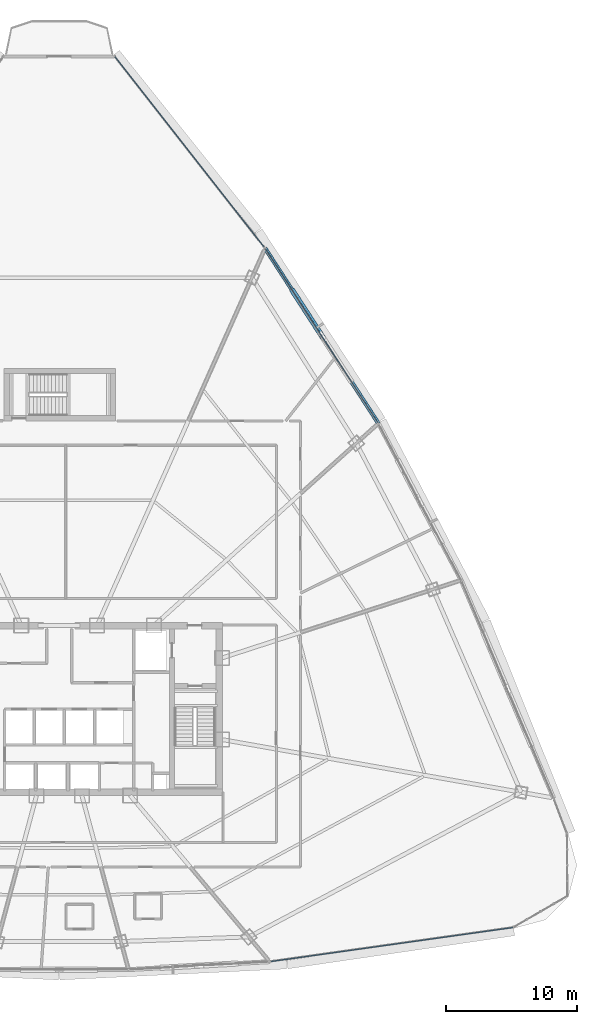
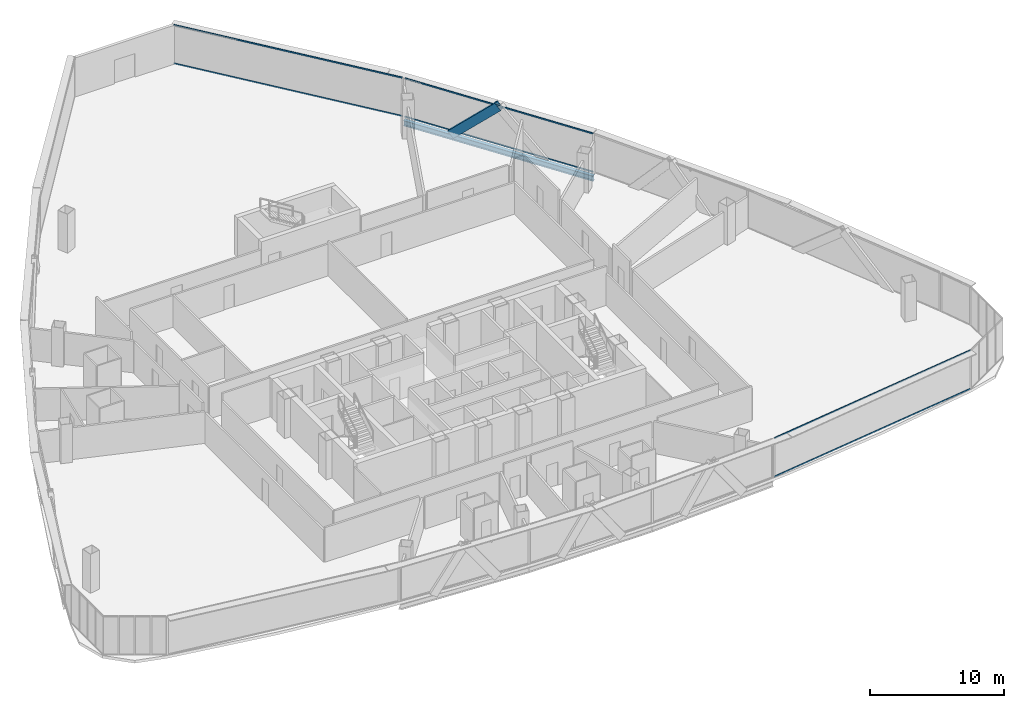
# One storey, part 23 of 40: 7 members, 1 beam, 3 elements without a shape of their own.
"""IFC4 building model written with IfcOpenShell, lengths in metres."""

from ifc_helpers import new_model, si_unit, direction, frame, origin, origin_2d, place, context, subcontext, project, spatial, hollow_rectangle, i_section, extrude, source, transform, mapped, material, layer, layer_set, material_profile, profile_set, type_object, element, aggregate, save


model = new_model("IFC4")

# Units and contexts
model_context = context("Model", 3, precision=1e-05, world=origin(), true_north=direction((0.0, 1.0)))
body_context = subcontext(model_context, "Body", "Model", "MODEL_VIEW")
ifc_project = project(units=[si_unit("LENGTHUNIT", "METRE"), si_unit("AREAUNIT", "SQUARE_METRE"), si_unit("VOLUMEUNIT", "CUBIC_METRE"), si_unit("PLANEANGLEUNIT", "RADIAN"), si_unit("MASSUNIT", "GRAM", prefix="KILO"), si_unit("THERMODYNAMICTEMPERATUREUNIT", "KELVIN"), si_unit("POWERUNIT", "WATT")], contexts=[model_context])

# Site, building, storey
site_placement = place(None, origin())
site = spatial("IfcSite", under=ifc_project, at=site_placement, CompositionType="ELEMENT")
building_placement = place(site_placement, origin())
building = spatial("IfcBuilding", under=site, at=building_placement, Name="Yunzhuo Pagoda Commons", CompositionType="ELEMENT")
storey_placement = place(building_placement, frame((0.0, 0.0, 180.9599609375)))
storey = spatial("IfcBuildingStorey", under=building, at=storey_placement, Name="L45", CompositionType="ELEMENT", Elevation=180.9599609375)

# Beam
ifc_material_1 = material(Name="Structural steel Q355B", Category="steel")
ifc_material_profile_1 = material_profile(ifc_material_1, i_section(OverallWidth=0.300048828125, OverallDepth=0.488037109375, WebThickness=0.010986328125, FlangeThickness=0.01806640625, at=origin_2d()), Name="Structural steel Q355B")
ifc_profile_set_1 = profile_set([ifc_material_profile_1], Name="Structural steel Q355B")
beam_type = type_object("IfcBeamType", Name="B-SP1 Beam HM 488x300x11x18", PredefinedType="BEAM", material=ifc_profile_set_1)
shared_shape_1 = source(origin(), body_context, "Body", "SweptSolid", [
    extrude(i_section(OverallWidth=0.300048828125, OverallDepth=0.488037109375, WebThickness=0.010986328125, FlangeThickness=0.01806640625, at=origin_2d()), origin(), (0.0, 0.0, 1.0), 15.899169921875),
])
beam_placement = place(storey_placement, frame((72.33544921875, 55.61181640625, -0.50390625), z_axis=(-0.543169779139, 0.8396228862, 0.0), x_axis=(-0.8396228862, -0.543169779139, 0.0)))
element("IfcBeam", 1, at=beam_placement, inside=storey, type_object=beam_type, Name="L45 facade edge spandrel beam F2.3", PredefinedType="BEAM", context=body_context, shape_type="MappedRepresentation", body=[
    mapped(shared_shape_1, transform((0.0, 0.0, 0.0), scale=1.0)),
])

# Member
ifc_material_profile_2 = material_profile(ifc_material_1, hollow_rectangle(XDim=0.39990234375, YDim=0.719970703125, WallThickness=0.02392578125, at=origin_2d()), Name="Structural steel Q355B")
ifc_profile_set_2 = profile_set([ifc_material_profile_2], Name="Structural steel Q355B")
member_type_1 = type_object("IfcMemberType", Name="M-DL2 Brace BOX 720x400x24", PredefinedType="BRACE", material=ifc_profile_set_2)
shared_shape_2 = source(origin(), body_context, "Body", "SweptSolid", [
    extrude(hollow_rectangle(XDim=0.39990234375, YDim=0.719970703125, WallThickness=0.02392578125, at=origin_2d()), origin(), (0.0, 0.0, 1.0), 5.4990234375),
])
member_1_placement = place(storey_placement, frame((65.8583984375, 65.623779296875, -0.260009765625), z_axis=(0.392611625569, -0.606876434458, 0.691055066379), x_axis=(0.839616297671, 0.543179963443, 0.0)))
element("IfcMember", 2, at=member_1_placement, inside=storey, type_object=member_type_1, Name="L45 facade diamond brace F2.3R", PredefinedType="BRACE", context=body_context, shape_type="MappedRepresentation", body=[
    mapped(shared_shape_2, transform((0.0, 0.0, 0.0), scale=1.0)),
])

# Curtain wall, members
ifc_material_2 = material(Name="Anodized aluminium 6063-T6", Category="aluminium")
ifc_layer = layer(ifc_material_2, 0.14990234375)
ifc_layer_set = layer_set([ifc_layer], Name="Anodized aluminium 6063-T6")
curtain_wall_type = type_object("IfcCurtainWallType", Name="CW-MID Mid-Zone Ribbon Curtain Wall", PredefinedType="NOTDEFINED", material=ifc_layer_set)
curtain_wall_1_placement = place(storey_placement, origin())
curtain_wall_1 = element("IfcCurtainWall", 3, at=curtain_wall_1_placement, inside=storey, type_object=curtain_wall_type, Name="L45 curtain wall CW-L45-F1B5", PredefinedType="NOTDEFINED")
ifc_material_profile_3 = material_profile(ifc_material_2, hollow_rectangle(XDim=0.054931640625, YDim=0.1298828125, WallThickness=0.00341796875, at=origin_2d()), Name="Anodized aluminium 6063-T6")
ifc_profile_set_3 = profile_set([ifc_material_profile_3], Name="Anodized aluminium 6063-T6")
member_type_2 = type_object("IfcMemberType", Name="CW-MID-T Transom RHS 130x55x3.5", PredefinedType="USERDEFINED", material=ifc_profile_set_3)
shared_shape_3 = source(origin(), body_context, "Body", "SweptSolid", [
    extrude(hollow_rectangle(XDim=0.054931640625, YDim=0.1298828125, WallThickness=0.00341796875, at=origin_2d()), origin(), (0.0, 0.0, 1.0), 18.564453125),
])
member_2_placement = place(storey_placement, frame((64.18115234375, 14.59423828125, 0.027587890625), z_axis=(0.990260063852, 0.139230046827, 0.0), x_axis=(-0.139230046827, 0.990260063852, 0.0)))
member_2 = element("IfcMember", 4, at=member_2_placement, type_object=member_type_2, Name="CW transom 1.1", ObjectType="TRANSOM", PredefinedType="USERDEFINED", context=body_context, shape_type="MappedRepresentation", body=[
    mapped(shared_shape_3, transform((0.0, 0.0, 0.0), scale=1.0)),
])
member_3_placement = place(storey_placement, frame((64.18115234375, 14.59423828125, 3.512451171875), z_axis=(0.990260063852, 0.139230046827, 0.0), x_axis=(-0.139230046827, 0.990260063852, 0.0)))
member_3 = element("IfcMember", 5, at=member_3_placement, type_object=member_type_2, Name="CW transom 1.2", ObjectType="TRANSOM", PredefinedType="USERDEFINED", context=body_context, shape_type="MappedRepresentation", body=[
    mapped(shared_shape_3, transform((0.0, 0.0, 0.0), scale=1.0)),
])
aggregate(curtain_wall_1, [member_2, member_3])

curtain_wall_2_placement = place(storey_placement, origin())
curtain_wall_2 = element("IfcCurtainWall", 6, at=curtain_wall_2_placement, inside=storey, type_object=curtain_wall_type, Name="L45 curtain wall CW-L45-F2B4", PredefinedType="NOTDEFINED")
shared_shape_4 = source(origin(), body_context, "Body", "SweptSolid", [
    extrude(hollow_rectangle(XDim=0.054931640625, YDim=0.1298828125, WallThickness=0.00341796875, at=origin_2d()), origin(), (0.0, 0.0, 1.0), 15.779296875),
])
member_4_placement = place(storey_placement, frame((72.302734375, 55.662109375, 0.027587890625), z_axis=(-0.543164669064, 0.839626191993, 0.0), x_axis=(-0.839626191993, -0.543164669064, 0.0)))
member_4 = element("IfcMember", 7, at=member_4_placement, type_object=member_type_2, Name="CW transom 1.1", ObjectType="TRANSOM", PredefinedType="USERDEFINED", context=body_context, shape_type="MappedRepresentation", body=[
    mapped(shared_shape_4, transform((0.0, 0.0, 0.0), scale=1.0)),
])
member_5_placement = place(storey_placement, frame((72.302734375, 55.662109375, 3.512451171875), z_axis=(-0.543164669064, 0.839626191993, 0.0), x_axis=(-0.839626191993, -0.543164669064, 0.0)))
member_5 = element("IfcMember", 8, at=member_5_placement, type_object=member_type_2, Name="CW transom 1.2", ObjectType="TRANSOM", PredefinedType="USERDEFINED", context=body_context, shape_type="MappedRepresentation", body=[
    mapped(shared_shape_4, transform((0.0, 0.0, 0.0), scale=1.0)),
])
aggregate(curtain_wall_2, [member_4, member_5])

curtain_wall_3_placement = place(storey_placement, origin())
curtain_wall_3 = element("IfcCurtainWall", 9, at=curtain_wall_3_placement, inside=storey, type_object=curtain_wall_type, Name="L45 curtain wall CW-L45-F2B5", PredefinedType="NOTDEFINED")
shared_shape_5 = source(origin(), body_context, "Body", "SweptSolid", [
    extrude(hollow_rectangle(XDim=0.054931640625, YDim=0.1298828125, WallThickness=0.00341796875, at=origin_2d()), origin(), (0.0, 0.0, 1.0), 18.384765625),
])
member_6_placement = place(storey_placement, frame((63.615966796875, 69.067626953125, 0.027587890625), z_axis=(-0.617021275129, 0.786946469614, 0.0), x_axis=(-0.786946469614, -0.617021275129, 0.0)))
member_6 = element("IfcMember", 10, at=member_6_placement, type_object=member_type_2, Name="CW transom 1.1", ObjectType="TRANSOM", PredefinedType="USERDEFINED", context=body_context, shape_type="MappedRepresentation", body=[
    mapped(shared_shape_5, transform((0.0, 0.0, 0.0), scale=1.0)),
])
member_7_placement = place(storey_placement, frame((63.615966796875, 69.067626953125, 3.512451171875), z_axis=(-0.617021275129, 0.786946469614, 0.0), x_axis=(-0.786946469614, -0.617021275129, 0.0)))
member_7 = element("IfcMember", 11, at=member_7_placement, type_object=member_type_2, Name="CW transom 1.2", ObjectType="TRANSOM", PredefinedType="USERDEFINED", context=body_context, shape_type="MappedRepresentation", body=[
    mapped(shared_shape_5, transform((0.0, 0.0, 0.0), scale=1.0)),
])
aggregate(curtain_wall_3, [member_6, member_7])

save(model, "model.ifc")
